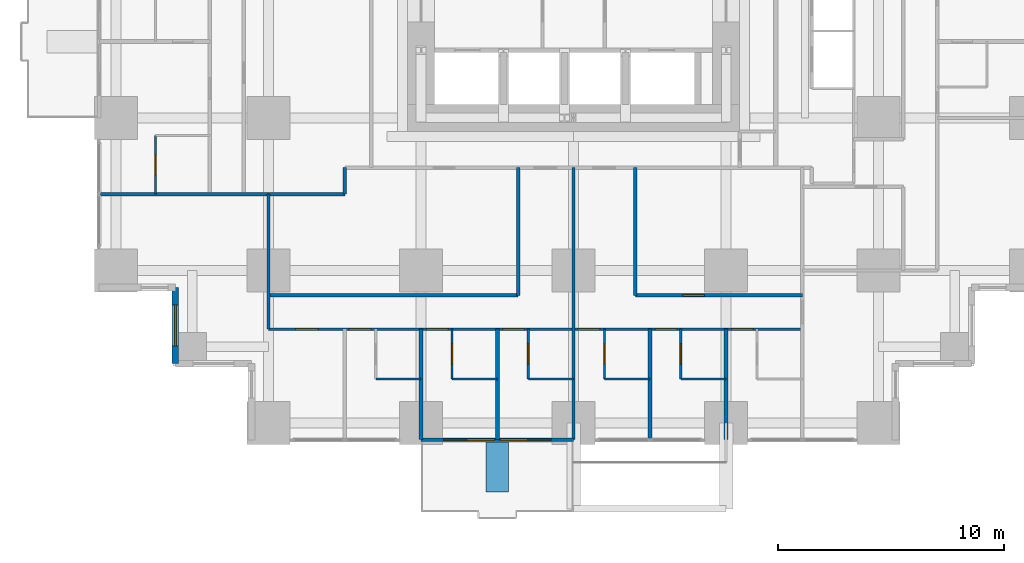
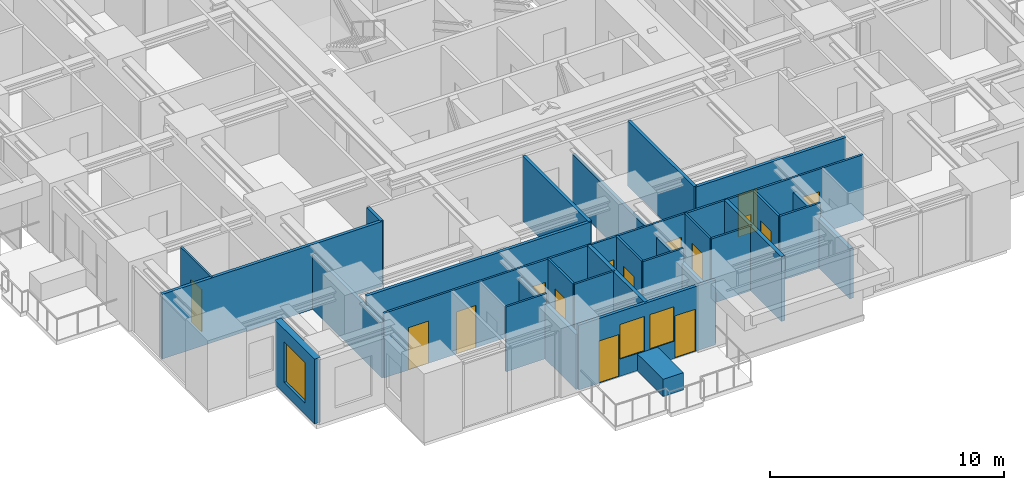
# One storey, part 8 of 14: 26 walls, 15 doors, 3 windows, 18 openings.
"""IFC4 building model written with IfcOpenShell, lengths in metres."""

from ifc_helpers import new_model, si_unit, direction, frame, frame_2d, origin, place, context, subcontext, project, spatial, rectangle, extrude, material, layer, layer_set, type_object, element, fill, save


model = new_model("IFC4")

# Units and contexts
model_context = context("Model", 3, precision=1e-05, world=origin(), true_north=direction((0.0, 1.0)))
body_context = subcontext(model_context, "Body", "Model", "MODEL_VIEW")
ifc_project = project(units=[si_unit("LENGTHUNIT", "METRE"), si_unit("AREAUNIT", "SQUARE_METRE"), si_unit("VOLUMEUNIT", "CUBIC_METRE"), si_unit("PLANEANGLEUNIT", "RADIAN"), si_unit("MASSUNIT", "GRAM", prefix="KILO")], contexts=[model_context])

# Site, building, storey
site_placement = place(None, origin())
site = spatial("IfcSite", under=ifc_project, at=site_placement, CompositionType="ELEMENT")
building_placement = place(site_placement, origin())
building = spatial("IfcBuilding", under=site, at=building_placement, Name="Nyansa Garden Tower", CompositionType="ELEMENT")
storey_placement = place(building_placement, frame((0.0, 0.0, 39.60009765625)))
storey = spatial("IfcBuildingStorey", under=building, at=storey_placement, Name="L10", CompositionType="ELEMENT", Elevation=39.60009765625)

# Walls
ifc_material_1 = material(Name="Dense blockwork, plastered both sides, 55 dB", Category="masonry")
ifc_layer_1 = layer(ifc_material_1, 0.175048828125)
ifc_layer_set_1 = layer_set([ifc_layer_1], Name="Acoustic party wall PW175")
wall_type_1 = type_object("IfcWallType", Name="Acoustic party wall PW175", PredefinedType="PARTITIONING", material=ifc_layer_set_1)
wall_1_placement = place(storey_placement, frame((13.5, -0.73388671875, 0.0), z_axis=(0.0, 0.0, 1.0), x_axis=(0.0, 1.0, 0.0)))
element("IfcWall", 1, at=wall_1_placement, inside=storey, type_object=wall_type_1, Name="Party wall", PredefinedType="PARTITIONING", context=body_context, shape_type="SweptSolid", body=[
    extrude(rectangle(XDim=4.8837890625, YDim=0.175048828125, at=frame_2d((2.44189453125, 0.0))), origin(), (0.0, 0.0, 1.0), 2.876953125),
])
for number, where, z_axis, x_axis, name in (
    (2, (16.875, -0.73388671875, 0.0), (0.0, 0.0, 1.0), (0.0, 1.0, 0.0), "Party wall"),
    (3, (23.625, -0.73388671875, 0.0), (0.0, 0.0, 1.0), (0.0, 1.0, 0.0), "Party wall"),
):
    element("IfcWall", number, at=place(storey_placement, frame(where, z_axis=z_axis, x_axis=x_axis)), inside=storey, type_object=wall_type_1, Name=name, PredefinedType="PARTITIONING", context=body_context, shape_type="SweptSolid", body=[
        extrude(rectangle(XDim=4.8837890625, YDim=0.175048828125, at=frame_2d((2.44189453125, 0.0))), origin(), (0.0, 0.0, 1.0), 3.375),
    ])
wall_2_placement = place(storey_placement, frame((27.0, -0.73388671875, 0.0), z_axis=(0.0, 0.0, 1.0), x_axis=(0.0, 1.0, 0.0)))
element("IfcWall", 4, at=wall_2_placement, inside=storey, type_object=wall_type_1, Name="Party wall", PredefinedType="PARTITIONING", context=body_context, shape_type="SweptSolid", body=[
    extrude(rectangle(XDim=4.8837890625, YDim=0.175048828125, at=frame_2d((2.44189453125, 0.0))), origin(), (0.0, 0.0, 1.0), 2.60986328125),
])

# Wall, openings, doors, windows
ifc_material_2 = material(Name="Black aluminium framed glazed screen", Category="aluminium")
ifc_layer_2 = layer(ifc_material_2, 0.14990234375)
ifc_layer_set_2 = layer_set([ifc_layer_2], Name="Balcony screen wall BW150")
wall_type_2 = type_object("IfcWallType", Name="Balcony screen wall BW150", PredefinedType="SOLIDWALL", material=ifc_layer_set_2)
wall_3_placement = place(storey_placement, frame((20.25, -0.75, 0.0), z_axis=(0.0, 0.0, 1.0), x_axis=(-1.0, 0.0, 0.0)))
wall_3 = element("IfcWall", 5, at=wall_3_placement, inside=storey, type_object=wall_type_2, Name="Glazed screen wall L10 S", PredefinedType="SOLIDWALL", context=body_context, shape_type="SweptSolid", body=[
    extrude(rectangle(XDim=6.75, YDim=0.14990234375, at=frame_2d((3.375, 0.0))), origin(), (0.0, 0.0, 1.0), 3.375),
])
opening_1_placement = place(wall_3_placement, frame((0.995849609375, 0.0, 0.0)))
opening_1 = element("IfcOpeningElement", 6, at=opening_1_placement, cuts=wall_3, Name="Opening D20", PredefinedType="OPENING", context=body_context, shape_type="SweptSolid", body=[
    extrude(rectangle(XDim=1.0, YDim=2.199951171875, at=frame_2d((0.5, 1.10009765625))), frame((0.0, 0.0849609375, 0.0), z_axis=(0.0, -1.0, 0.0), x_axis=(1.0, 0.0, 0.0)), (0.0, 0.0, 1.0), 0.169921875),
])
opening_2_placement = place(wall_3_placement, frame((2.041748046875, 0.0, 0.89990234375)))
opening_2 = element("IfcOpeningElement", 7, at=opening_2_placement, cuts=wall_3, Name="Opening W6", PredefinedType="OPENING", context=body_context, shape_type="SweptSolid", body=[
    extrude(rectangle(XDim=1.199951171875, YDim=1.800048828125, at=frame_2d((0.60009765625, 0.89990234375))), frame((0.0, 0.0849609375, 0.0), z_axis=(0.0, -1.0, 0.0), x_axis=(1.0, 0.0, 0.0)), (0.0, 0.0, 1.0), 0.169921875),
])
opening_3_placement = place(wall_3_placement, frame((4.754150390625, 0.0, 0.0)))
opening_3 = element("IfcOpeningElement", 8, at=opening_3_placement, cuts=wall_3, Name="Opening D20", PredefinedType="OPENING", context=body_context, shape_type="SweptSolid", body=[
    extrude(rectangle(XDim=1.0, YDim=2.199951171875, at=frame_2d((0.5, 1.10009765625))), frame((0.0, 0.0849609375, 0.0), z_axis=(0.0, -1.0, 0.0), x_axis=(1.0, 0.0, 0.0)), (0.0, 0.0, 1.0), 0.169921875),
])
opening_4_placement = place(wall_3_placement, frame((3.50830078125, 0.0, 0.89990234375)))
opening_4 = element("IfcOpeningElement", 9, at=opening_4_placement, cuts=wall_3, Name="Opening W6", PredefinedType="OPENING", context=body_context, shape_type="SweptSolid", body=[
    extrude(rectangle(XDim=1.199951171875, YDim=1.800048828125, at=frame_2d((0.60009765625, 0.89990234375))), frame((0.0, 0.0849609375, 0.0), z_axis=(0.0, -1.0, 0.0), x_axis=(1.0, 0.0, 0.0)), (0.0, 0.0, 1.0), 0.169921875),
])
ifc_material_3 = material(Name="Black aluminium framed glazed door", Category="aluminium")
door_type_1 = type_object("IfcDoorType", Name="Balcony door D20 1000x2200", OperationType="NOTDEFINED", PredefinedType="DOOR", material=ifc_material_3)
door_1_placement = place(opening_1_placement, origin())
door_1 = element("IfcDoor", 10, at=door_1_placement, inside=storey, type_object=door_type_1, Name="Balcony door L10", OperationType="SINGLE_SWING_LEFT", OverallHeight=2.199951171875, OverallWidth=1.0, PredefinedType="DOOR", context=body_context, shape_type="SweptSolid", body=[
    extrude(rectangle(XDim=1.0, YDim=2.199951171875, at=frame_2d((0.5, 1.10009765625))), frame((0.0, 0.02490234375, 0.0), z_axis=(0.0, -1.0, 0.0), x_axis=(1.0, 0.0, 0.0)), (0.0, 0.0, 1.0), 0.050048828125),
])
fill(opening_1, door_1)
door_2_placement = place(opening_3_placement, origin())
door_2 = element("IfcDoor", 11, at=door_2_placement, inside=storey, type_object=door_type_1, Name="Balcony door L10", OperationType="SINGLE_SWING_RIGHT", OverallHeight=2.199951171875, OverallWidth=1.0, PredefinedType="DOOR", context=body_context, shape_type="SweptSolid", body=[
    extrude(rectangle(XDim=1.0, YDim=2.199951171875, at=frame_2d((0.5, 1.10009765625))), frame((0.0, 0.02490234375, 0.0), z_axis=(0.0, -1.0, 0.0), x_axis=(1.0, 0.0, 0.0)), (0.0, 0.0, 1.0), 0.050048828125),
])
fill(opening_3, door_2)
ifc_material_4 = material(Name="Black aluminium frame, dark tinted double glazing", Category="aluminium")
window_type_1 = type_object("IfcWindowType", Name="Balcony window W6 1200x1800", PartitioningType="SINGLE_PANEL", PredefinedType="WINDOW", material=ifc_material_4)
window_1_placement = place(opening_2_placement, origin())
window_1 = element("IfcWindow", 12, at=window_1_placement, inside=storey, type_object=window_type_1, Name="Window L10", OverallHeight=1.800048828125, OverallWidth=1.199951171875, PartitioningType="SINGLE_PANEL", PredefinedType="WINDOW", context=body_context, shape_type="SweptSolid", body=[
    extrude(rectangle(XDim=1.199951171875, YDim=1.800048828125, at=frame_2d((0.60009765625, 0.89990234375))), frame((0.0, 0.030029296875, 0.0), z_axis=(0.0, -1.0, 0.0), x_axis=(1.0, 0.0, 0.0)), (0.0, 0.0, 1.0), 0.06005859375),
])
fill(opening_2, window_1)
window_2_placement = place(opening_4_placement, origin())
window_2 = element("IfcWindow", 13, at=window_2_placement, inside=storey, type_object=window_type_1, Name="Window L10", OverallHeight=1.800048828125, OverallWidth=1.199951171875, PartitioningType="SINGLE_PANEL", PredefinedType="WINDOW", context=body_context, shape_type="SweptSolid", body=[
    extrude(rectangle(XDim=1.199951171875, YDim=1.800048828125, at=frame_2d((0.60009765625, 0.89990234375))), frame((0.0, 0.030029296875, 0.0), z_axis=(0.0, -1.0, 0.0), x_axis=(1.0, 0.0, 0.0)), (0.0, 0.0, 1.0), 0.06005859375),
])
fill(opening_4, window_2)

# Walls
ifc_material_5 = material(Name="Blockwork, plastered both sides", Category="masonry")
ifc_layer_3 = layer(ifc_material_5, 0.14990234375)
ifc_layer_set_3 = layer_set([ifc_layer_3], Name="Partition PW150")
wall_type_3 = type_object("IfcWallType", Name="Partition PW150", PredefinedType="PARTITIONING", material=ifc_layer_set_3)
wall_4_placement = place(storey_placement, frame((-0.73388671875, 10.125, 0.0), z_axis=(0.0, 0.0, 1.0), x_axis=(1.0, 0.0, 0.0)))
element("IfcWall", 14, at=wall_4_placement, inside=storey, type_object=wall_type_3, Name="Partition", PredefinedType="PARTITIONING", context=body_context, shape_type="SweptSolid", body=[
    extrude(rectangle(XDim=10.85888671875, YDim=0.14990234375, at=frame_2d((5.429443359375, 0.0))), origin(), (0.0, 0.0, 1.0), 3.375),
])
wall_5_placement = place(storey_placement, frame((6.75, 4.14990234375, 0.0), z_axis=(0.0, 0.0, 1.0), x_axis=(0.0, 1.0, 0.0)))
element("IfcWall", 15, at=wall_5_placement, inside=storey, type_object=wall_type_3, Name="Partition", PredefinedType="PARTITIONING", context=body_context, shape_type="SweptSolid", body=[
    extrude(rectangle(XDim=5.97509765625, YDim=0.14990234375, at=frame_2d((2.987548828125, 0.0))), origin(), (0.0, 0.0, 1.0), 2.876953125),
])
wall_6_placement = place(storey_placement, frame((6.75, 5.64990234375, 0.0), z_axis=(0.0, 0.0, 1.0), x_axis=(1.0, 0.0, 0.0)))
element("IfcWall", 16, at=wall_6_placement, inside=storey, type_object=wall_type_3, Name="Partition", PredefinedType="PARTITIONING", context=body_context, shape_type="SweptSolid", body=[
    extrude(rectangle(XDim=11.050048828125, YDim=0.14990234375, at=frame_2d((5.52490234375, 0.0))), origin(), (0.0, 0.0, 1.0), 3.375),
])
wall_7_placement = place(storey_placement, frame((10.125, 10.125, 0.0), z_axis=(0.0, 0.0, 1.0), x_axis=(0.0, 1.0, 0.0)))
element("IfcWall", 17, at=wall_7_placement, inside=storey, type_object=wall_type_3, Name="Partition", PredefinedType="PARTITIONING", context=body_context, shape_type="SweptSolid", body=[
    extrude(rectangle(XDim=1.175048828125, YDim=0.14990234375, at=frame_2d((0.58740234375, 0.0))), origin(), (0.0, 0.0, 1.0), 3.375),
])
wall_8_placement = place(storey_placement, frame((17.800048828125, 5.64990234375, 0.0), z_axis=(0.0, 0.0, 1.0), x_axis=(0.0, 1.0, 0.0)))
element("IfcWall", 18, at=wall_8_placement, inside=storey, type_object=wall_type_3, Name="Partition", PredefinedType="PARTITIONING", context=body_context, shape_type="SweptSolid", body=[
    extrude(rectangle(XDim=5.650146484375, YDim=0.14990234375, at=frame_2d((2.8251953125, 0.0))), origin(), (0.0, 0.0, 1.0), 3.375),
])
wall_9_placement = place(storey_placement, frame((20.25, -0.73388671875, 0.0), z_axis=(0.0, 0.0, 1.0), x_axis=(0.0, 1.0, 0.0)))
element("IfcWall", 19, at=wall_9_placement, inside=storey, type_object=wall_type_3, Name="Partition", PredefinedType="PARTITIONING", context=body_context, shape_type="SweptSolid", body=[
    extrude(rectangle(XDim=12.033935546875, YDim=0.14990234375, at=frame_2d((6.01708984375, 0.0))), origin(), (0.0, 0.0, 1.0), 2.60986328125),
])

# Wall, opening, door
wall_10_placement = place(storey_placement, frame((22.987548828125, 5.64990234375, 0.0), z_axis=(0.0, 0.0, 1.0), x_axis=(1.0, 0.0, 0.0)))
wall_10 = element("IfcWall", 20, at=wall_10_placement, inside=storey, type_object=wall_type_3, Name="Partition", PredefinedType="PARTITIONING", context=body_context, shape_type="SweptSolid", body=[
    extrude(rectangle(XDim=7.387451171875, YDim=0.14990234375, at=frame_2d((3.69384765625, 0.0))), origin(), (0.0, 0.0, 1.0), 3.375),
])
opening_5_placement = place(wall_10_placement, frame((2.10009765625, 0.0, 0.0)))
opening_5 = element("IfcOpeningElement", 21, at=opening_5_placement, cuts=wall_10, Name="Opening D01", PredefinedType="OPENING", context=body_context, shape_type="SweptSolid", body=[
    extrude(rectangle(XDim=0.949951171875, YDim=2.199951171875, at=frame_2d((0.47509765625, 1.10009765625))), frame((0.0, 0.0849609375, 0.0), z_axis=(0.0, -1.0, 0.0), x_axis=(1.0, 0.0, 0.0)), (0.0, 0.0, 1.0), 0.169921875),
])
ifc_material_6 = material(Name="Timber flush door, 30 minute fire resisting", Category="wood")
door_type_2 = type_object("IfcDoorType", Name="Bedroom door D01 950x2200", OperationType="SINGLE_SWING_LEFT", PredefinedType="DOOR", material=ifc_material_6)
door_3_placement = place(opening_5_placement, origin())
door_3 = element("IfcDoor", 22, at=door_3_placement, inside=storey, type_object=door_type_2, Name="Door L10-033", OperationType="SINGLE_SWING_LEFT", OverallHeight=2.199951171875, OverallWidth=0.949951171875, PredefinedType="DOOR", context=body_context, shape_type="SweptSolid", body=[
    extrude(rectangle(XDim=0.949951171875, YDim=2.199951171875, at=frame_2d((0.47509765625, 1.10009765625))), frame((0.0, 0.02490234375, 0.0), z_axis=(0.0, -1.0, 0.0), x_axis=(1.0, 0.0, 0.0)), (0.0, 0.0, 1.0), 0.050048828125),
])
fill(opening_5, door_3)

# Wall
wall_11_placement = place(storey_placement, frame((22.988037109375, 5.64990234375, 0.0), z_axis=(0.0, 0.0, 1.0), x_axis=(0.0, 1.0, 0.0)))
element("IfcWall", 23, at=wall_11_placement, inside=storey, type_object=wall_type_3, Name="Partition", PredefinedType="PARTITIONING", context=body_context, shape_type="SweptSolid", body=[
    extrude(rectangle(XDim=5.650146484375, YDim=0.14990234375, at=frame_2d((2.8251953125, 0.0))), origin(), (0.0, 0.0, 1.0), 3.375),
])

# Wall, opening, window
ifc_material_7 = material(Name="Turquoise glazed tile on concrete blockwork", Category="masonry")
ifc_layer_4 = layer(ifc_material_7, 0.300048828125)
ifc_layer_set_4 = layer_set([ifc_layer_4], Name="Tiled corner wall TW300")
wall_type_4 = type_object("IfcWallType", Name="Tiled corner wall TW300", PredefinedType="SOLIDWALL", material=ifc_layer_set_4)
wall_12_placement = place(storey_placement, frame((2.625, 6.0, 0.0), z_axis=(0.0, 0.0, 1.0), x_axis=(0.0, -1.0, 0.0)))
wall_12 = element("IfcWall", 24, at=wall_12_placement, inside=storey, type_object=wall_type_4, Name="Tiled corner wall L10", PredefinedType="SOLIDWALL", context=body_context, shape_type="SweptSolid", body=[
    extrude(rectangle(XDim=3.375, YDim=0.300048828125, at=frame_2d((1.6875, 0.0))), origin(), (0.0, 0.0, 1.0), 3.375),
])
opening_6_placement = place(wall_12_placement, frame((0.78759765625, 0.0, 0.60009765625)))
opening_6 = element("IfcOpeningElement", 25, at=opening_6_placement, cuts=wall_12, Name="Opening W2", PredefinedType="OPENING", context=body_context, shape_type="SweptSolid", body=[
    extrude(rectangle(XDim=1.800048828125, YDim=2.10009765625, at=frame_2d((0.89990234375, 1.050048828125))), frame((0.0, 0.159912109375, 0.0), z_axis=(0.0, -1.0, 0.0), x_axis=(1.0, 0.0, 0.0)), (0.0, 0.0, 1.0), 0.320068359375),
])
ifc_material_8 = material(Name="Black aluminium frame, dark tinted double glazing", Category="aluminium")
window_type_2 = type_object("IfcWindowType", Name="Window W2 1800x2100", PartitioningType="SINGLE_PANEL", PredefinedType="WINDOW", material=ifc_material_8)
window_3_placement = place(opening_6_placement, origin())
window_3 = element("IfcWindow", 26, at=window_3_placement, inside=storey, type_object=window_type_2, Name="Corner window L10", OverallHeight=2.10009765625, OverallWidth=1.800048828125, PartitioningType="SINGLE_PANEL", PredefinedType="WINDOW", context=body_context, shape_type="SweptSolid", body=[
    extrude(rectangle(XDim=1.800048828125, YDim=2.10009765625, at=frame_2d((0.89990234375, 1.050048828125))), frame((0.0, 0.030029296875, 0.0), z_axis=(0.0, -1.0, 0.0), x_axis=(1.0, 0.0, 0.0)), (0.0, 0.0, 1.0), 0.06005859375),
])
fill(opening_6, window_3)

# Wall
ifc_material_9 = material(Name="Concrete C40/50 planter, waterproofed", Category="concrete")
ifc_layer_5 = layer(ifc_material_9, 1.0)
ifc_layer_set_5 = layer_set([ifc_layer_5], Name="Tree planter TP1")
wall_type_5 = type_object("IfcWallType", Name="Tree planter TP1", PredefinedType="USERDEFINED", material=ifc_layer_set_5)
wall_13_placement = place(storey_placement, frame((16.875, -0.85009765625, 0.0), z_axis=(0.0, 0.0, 1.0), x_axis=(0.0, -1.0, 0.0)))
element("IfcWall", 27, at=wall_13_placement, inside=storey, type_object=wall_type_5, Name="Tree planter L10", ObjectType="TREE PLANTER", PredefinedType="USERDEFINED", context=body_context, shape_type="SweptSolid", body=[
    extrude(rectangle(XDim=2.199951171875, YDim=1.0, at=frame_2d((1.10009765625, 0.0))), origin(), (0.0, 0.0, 1.0), 0.89990234375),
])

# Wall, opening, door
ifc_material_10 = material(Name="Moisture resistant board on steel studs, tiled", Category="steel")
ifc_layer_6 = layer(ifc_material_10, 0.10009765625)
ifc_layer_set_6 = layer_set([ifc_layer_6], Name="Wet wall PW100")
wall_type_6 = type_object("IfcWallType", Name="Wet wall PW100", PredefinedType="PARTITIONING", material=ifc_layer_set_6)
wall_14_placement = place(storey_placement, frame((1.75, 10.125, 0.0), z_axis=(0.0, 0.0, 1.0), x_axis=(0.0, 1.0, 0.0)))
wall_14 = element("IfcWall", 28, at=wall_14_placement, inside=storey, type_object=wall_type_6, Name="Wet wall", PredefinedType="PARTITIONING", context=body_context, shape_type="SweptSolid", body=[
    extrude(rectangle(XDim=2.60009765625, YDim=0.10009765625, at=frame_2d((1.300048828125, 0.0))), origin(), (0.0, 0.0, 1.0), 3.375),
])
opening_7_placement = place(wall_14_placement, frame((0.85009765625, 0.0, 0.0)))
opening_7 = element("IfcOpeningElement", 29, at=opening_7_placement, cuts=wall_14, Name="Opening D02", PredefinedType="OPENING", context=body_context, shape_type="SweptSolid", body=[
    extrude(rectangle(XDim=0.89990234375, YDim=2.199951171875, at=frame_2d((0.449951171875, 1.10009765625))), frame((0.0, 0.06005859375, 0.0), z_axis=(0.0, -1.0, 0.0), x_axis=(1.0, 0.0, 0.0)), (0.0, 0.0, 1.0), 0.1201171875),
])
ifc_material_11 = material(Name="Timber flush door", Category="wood")
door_type_3 = type_object("IfcDoorType", Name="En-suite door D02 900x2200", OperationType="SINGLE_SWING_RIGHT", PredefinedType="DOOR", material=ifc_material_11)
door_4_placement = place(opening_7_placement, origin())
door_4 = element("IfcDoor", 30, at=door_4_placement, inside=storey, type_object=door_type_3, Name="Door L10-060", OperationType="SINGLE_SWING_RIGHT", OverallHeight=2.199951171875, OverallWidth=0.89990234375, PredefinedType="DOOR", context=body_context, shape_type="SweptSolid", body=[
    extrude(rectangle(XDim=0.89990234375, YDim=2.199951171875, at=frame_2d((0.449951171875, 1.10009765625))), frame((0.0, 0.02490234375, 0.0), z_axis=(0.0, -1.0, 0.0), x_axis=(1.0, 0.0, 0.0)), (0.0, 0.0, 1.0), 0.050048828125),
])
fill(opening_7, door_4)

# Wall, openings, doors
wall_15_placement = place(storey_placement, frame((6.75, 4.14990234375, 0.0), z_axis=(0.0, 0.0, 1.0), x_axis=(1.0, 0.0, 0.0)))
wall_15 = element("IfcWall", 31, at=wall_15_placement, inside=storey, type_object=wall_type_6, Name="Wet wall", PredefinedType="PARTITIONING", context=body_context, shape_type="SweptSolid", body=[
    extrude(rectangle(XDim=23.625, YDim=0.10009765625, at=frame_2d((11.8125, 0.0))), origin(), (0.0, 0.0, 1.0), 3.375),
])
opening_8_placement = place(wall_15_placement, frame((1.199951171875, 0.0, 0.0)))
opening_8 = element("IfcOpeningElement", 32, at=opening_8_placement, cuts=wall_15, Name="Opening D03", PredefinedType="OPENING", context=body_context, shape_type="SweptSolid", body=[
    extrude(rectangle(XDim=1.0, YDim=2.199951171875, at=frame_2d((0.5, 1.10009765625))), frame((0.0, 0.06005859375, 0.0), z_axis=(0.0, -1.0, 0.0), x_axis=(1.0, 0.0, 0.0)), (0.0, 0.0, 1.0), 0.1201171875),
])
opening_9_placement = place(wall_15_placement, frame((3.574951171875, 0.0, 0.0)))
opening_9 = element("IfcOpeningElement", 33, at=opening_9_placement, cuts=wall_15, Name="Opening D01", PredefinedType="OPENING", context=body_context, shape_type="SweptSolid", body=[
    extrude(rectangle(XDim=0.949951171875, YDim=2.199951171875, at=frame_2d((0.47509765625, 1.10009765625))), frame((0.0, 0.06005859375, 0.0), z_axis=(0.0, -1.0, 0.0), x_axis=(1.0, 0.0, 0.0)), (0.0, 0.0, 1.0), 0.1201171875),
])
opening_10_placement = place(wall_15_placement, frame((7.0, 0.0, 0.0)))
opening_10 = element("IfcOpeningElement", 34, at=opening_10_placement, cuts=wall_15, Name="Opening D01", PredefinedType="OPENING", context=body_context, shape_type="SweptSolid", body=[
    extrude(rectangle(XDim=0.949951171875, YDim=2.199951171875, at=frame_2d((0.47509765625, 1.10009765625))), frame((0.0, 0.06005859375, 0.0), z_axis=(0.0, -1.0, 0.0), x_axis=(1.0, 0.0, 0.0)), (0.0, 0.0, 1.0), 0.1201171875),
])
opening_11_placement = place(wall_15_placement, frame((10.375, 0.0, 0.0)))
opening_11 = element("IfcOpeningElement", 35, at=opening_11_placement, cuts=wall_15, Name="Opening D01", PredefinedType="OPENING", context=body_context, shape_type="SweptSolid", body=[
    extrude(rectangle(XDim=0.949951171875, YDim=2.199951171875, at=frame_2d((0.47509765625, 1.10009765625))), frame((0.0, 0.06005859375, 0.0), z_axis=(0.0, -1.0, 0.0), x_axis=(1.0, 0.0, 0.0)), (0.0, 0.0, 1.0), 0.1201171875),
])
opening_12_placement = place(wall_15_placement, frame((13.699951171875, 0.0, 0.0)))
opening_12 = element("IfcOpeningElement", 36, at=opening_12_placement, cuts=wall_15, Name="Opening D14", PredefinedType="OPENING", context=body_context, shape_type="SweptSolid", body=[
    extrude(rectangle(XDim=0.949951171875, YDim=2.199951171875, at=frame_2d((0.47509765625, 1.10009765625))), frame((0.0, 0.06005859375, 0.0), z_axis=(0.0, -1.0, 0.0), x_axis=(1.0, 0.0, 0.0)), (0.0, 0.0, 1.0), 0.1201171875),
])
opening_13_placement = place(wall_15_placement, frame((17.125, 0.0, 0.0)))
opening_13 = element("IfcOpeningElement", 37, at=opening_13_placement, cuts=wall_15, Name="Opening D14", PredefinedType="OPENING", context=body_context, shape_type="SweptSolid", body=[
    extrude(rectangle(XDim=0.949951171875, YDim=2.199951171875, at=frame_2d((0.47509765625, 1.10009765625))), frame((0.0, 0.06005859375, 0.0), z_axis=(0.0, -1.0, 0.0), x_axis=(1.0, 0.0, 0.0)), (0.0, 0.0, 1.0), 0.1201171875),
])
opening_14_placement = place(wall_15_placement, frame((20.5, 0.0, 0.0)))
opening_14 = element("IfcOpeningElement", 38, at=opening_14_placement, cuts=wall_15, Name="Opening D14", PredefinedType="OPENING", context=body_context, shape_type="SweptSolid", body=[
    extrude(rectangle(XDim=0.949951171875, YDim=2.199951171875, at=frame_2d((0.47509765625, 1.10009765625))), frame((0.0, 0.06005859375, 0.0), z_axis=(0.0, -1.0, 0.0), x_axis=(1.0, 0.0, 0.0)), (0.0, 0.0, 1.0), 0.1201171875),
])
door_5_placement = place(opening_9_placement, origin())
door_5 = element("IfcDoor", 39, at=door_5_placement, inside=storey, type_object=door_type_2, Name="Door L10-018", OperationType="SINGLE_SWING_LEFT", OverallHeight=2.199951171875, OverallWidth=0.949951171875, PredefinedType="DOOR", context=body_context, shape_type="SweptSolid", body=[
    extrude(rectangle(XDim=0.949951171875, YDim=2.199951171875, at=frame_2d((0.47509765625, 1.10009765625))), frame((0.0, 0.02490234375, 0.0), z_axis=(0.0, -1.0, 0.0), x_axis=(1.0, 0.0, 0.0)), (0.0, 0.0, 1.0), 0.050048828125),
])
fill(opening_9, door_5)
door_6_placement = place(opening_10_placement, origin())
door_6 = element("IfcDoor", 40, at=door_6_placement, inside=storey, type_object=door_type_2, Name="Door L10-020", OperationType="SINGLE_SWING_LEFT", OverallHeight=2.199951171875, OverallWidth=0.949951171875, PredefinedType="DOOR", context=body_context, shape_type="SweptSolid", body=[
    extrude(rectangle(XDim=0.949951171875, YDim=2.199951171875, at=frame_2d((0.47509765625, 1.10009765625))), frame((0.0, 0.02490234375, 0.0), z_axis=(0.0, -1.0, 0.0), x_axis=(1.0, 0.0, 0.0)), (0.0, 0.0, 1.0), 0.050048828125),
])
fill(opening_10, door_6)
door_7_placement = place(opening_11_placement, origin())
door_7 = element("IfcDoor", 41, at=door_7_placement, inside=storey, type_object=door_type_2, Name="Door L10-022", OperationType="SINGLE_SWING_LEFT", OverallHeight=2.199951171875, OverallWidth=0.949951171875, PredefinedType="DOOR", context=body_context, shape_type="SweptSolid", body=[
    extrude(rectangle(XDim=0.949951171875, YDim=2.199951171875, at=frame_2d((0.47509765625, 1.10009765625))), frame((0.0, 0.02490234375, 0.0), z_axis=(0.0, -1.0, 0.0), x_axis=(1.0, 0.0, 0.0)), (0.0, 0.0, 1.0), 0.050048828125),
])
fill(opening_11, door_7)
ifc_material_12 = material(Name="Timber flush door, 60 minute fire resisting", Category="wood")
door_type_4 = type_object("IfcDoorType", Name="Cluster entrance door D03 1000x2200", OperationType="SINGLE_SWING_LEFT", PredefinedType="DOOR", material=ifc_material_12)
door_8_placement = place(opening_8_placement, origin())
door_8 = element("IfcDoor", 42, at=door_8_placement, inside=storey, type_object=door_type_4, Name="Door L10-017", OperationType="SINGLE_SWING_LEFT", OverallHeight=2.199951171875, OverallWidth=1.0, PredefinedType="DOOR", context=body_context, shape_type="SweptSolid", body=[
    extrude(rectangle(XDim=1.0, YDim=2.199951171875, at=frame_2d((0.5, 1.10009765625))), frame((0.0, 0.02490234375, 0.0), z_axis=(0.0, -1.0, 0.0), x_axis=(1.0, 0.0, 0.0)), (0.0, 0.0, 1.0), 0.050048828125),
])
fill(opening_8, door_8)
ifc_material_13 = material(Name="Timber flush door, 60 minute fire resisting, self-closing", Category="wood")
door_type_5 = type_object("IfcDoorType", Name="Studio entrance door D14 950x2200", OperationType="SINGLE_SWING_LEFT", PredefinedType="DOOR", material=ifc_material_13)
door_9_placement = place(opening_12_placement, origin())
door_9 = element("IfcDoor", 43, at=door_9_placement, inside=storey, type_object=door_type_5, Name="Door L10-025", OperationType="SINGLE_SWING_LEFT", OverallHeight=2.199951171875, OverallWidth=0.949951171875, PredefinedType="DOOR", context=body_context, shape_type="SweptSolid", body=[
    extrude(rectangle(XDim=0.949951171875, YDim=2.199951171875, at=frame_2d((0.47509765625, 1.10009765625))), frame((0.0, 0.02490234375, 0.0), z_axis=(0.0, -1.0, 0.0), x_axis=(1.0, 0.0, 0.0)), (0.0, 0.0, 1.0), 0.050048828125),
])
fill(opening_12, door_9)
door_10_placement = place(opening_13_placement, origin())
door_10 = element("IfcDoor", 44, at=door_10_placement, inside=storey, type_object=door_type_5, Name="Door L10-027", OperationType="SINGLE_SWING_LEFT", OverallHeight=2.199951171875, OverallWidth=0.949951171875, PredefinedType="DOOR", context=body_context, shape_type="SweptSolid", body=[
    extrude(rectangle(XDim=0.949951171875, YDim=2.199951171875, at=frame_2d((0.47509765625, 1.10009765625))), frame((0.0, 0.02490234375, 0.0), z_axis=(0.0, -1.0, 0.0), x_axis=(1.0, 0.0, 0.0)), (0.0, 0.0, 1.0), 0.050048828125),
])
fill(opening_13, door_10)
door_11_placement = place(opening_14_placement, origin())
door_11 = element("IfcDoor", 45, at=door_11_placement, inside=storey, type_object=door_type_5, Name="Door L10-029", OperationType="SINGLE_SWING_LEFT", OverallHeight=2.199951171875, OverallWidth=0.949951171875, PredefinedType="DOOR", context=body_context, shape_type="SweptSolid", body=[
    extrude(rectangle(XDim=0.949951171875, YDim=2.199951171875, at=frame_2d((0.47509765625, 1.10009765625))), frame((0.0, 0.02490234375, 0.0), z_axis=(0.0, -1.0, 0.0), x_axis=(1.0, 0.0, 0.0)), (0.0, 0.0, 1.0), 0.050048828125),
])
fill(opening_14, door_11)

# Wall
wall_16_placement = place(storey_placement, frame((11.5, 1.949951171875, 0.0), z_axis=(0.0, 0.0, 1.0), x_axis=(1.0, 0.0, 0.0)))
element("IfcWall", 46, at=wall_16_placement, inside=storey, type_object=wall_type_6, Name="Wet wall", PredefinedType="PARTITIONING", context=body_context, shape_type="SweptSolid", body=[
    extrude(rectangle(XDim=2.0, YDim=0.10009765625, at=frame_2d((1.0, 0.0))), origin(), (0.0, 0.0, 1.0), 3.375),
])

# Wall, opening, door
wall_17_placement = place(storey_placement, frame((14.875, 1.949951171875, 0.0), z_axis=(0.0, 0.0, 1.0), x_axis=(0.0, 1.0, 0.0)))
wall_17 = element("IfcWall", 47, at=wall_17_placement, inside=storey, type_object=wall_type_6, Name="Wet wall", PredefinedType="PARTITIONING", context=body_context, shape_type="SweptSolid", body=[
    extrude(rectangle(XDim=2.199951171875, YDim=0.10009765625, at=frame_2d((1.10009765625, 0.0))), origin(), (0.0, 0.0, 1.0), 3.375),
])
opening_15_placement = place(wall_17_placement, frame((0.64990234375, 0.0, 0.0)))
opening_15 = element("IfcOpeningElement", 48, at=opening_15_placement, cuts=wall_17, Name="Opening D02", PredefinedType="OPENING", context=body_context, shape_type="SweptSolid", body=[
    extrude(rectangle(XDim=0.89990234375, YDim=2.199951171875, at=frame_2d((0.449951171875, 1.10009765625))), frame((0.0, 0.06005859375, 0.0), z_axis=(0.0, -1.0, 0.0), x_axis=(1.0, 0.0, 0.0)), (0.0, 0.0, 1.0), 0.1201171875),
])
door_12_placement = place(opening_15_placement, origin())
door_12 = element("IfcDoor", 49, at=door_12_placement, inside=storey, type_object=door_type_3, Name="Door L10-021", OperationType="SINGLE_SWING_RIGHT", OverallHeight=2.199951171875, OverallWidth=0.89990234375, PredefinedType="DOOR", context=body_context, shape_type="SweptSolid", body=[
    extrude(rectangle(XDim=0.89990234375, YDim=2.199951171875, at=frame_2d((0.449951171875, 1.10009765625))), frame((0.0, 0.02490234375, 0.0), z_axis=(0.0, -1.0, 0.0), x_axis=(1.0, 0.0, 0.0)), (0.0, 0.0, 1.0), 0.050048828125),
])
fill(opening_15, door_12)

# Wall
wall_18_placement = place(storey_placement, frame((14.875, 1.949951171875, 0.0), z_axis=(0.0, 0.0, 1.0), x_axis=(1.0, 0.0, 0.0)))
element("IfcWall", 50, at=wall_18_placement, inside=storey, type_object=wall_type_6, Name="Wet wall", PredefinedType="PARTITIONING", context=body_context, shape_type="SweptSolid", body=[
    extrude(rectangle(XDim=2.0, YDim=0.10009765625, at=frame_2d((1.0, 0.0))), origin(), (0.0, 0.0, 1.0), 3.375),
])

# Wall, opening, door
wall_19_placement = place(storey_placement, frame((18.25, 1.949951171875, 0.0), z_axis=(0.0, 0.0, 1.0), x_axis=(0.0, 1.0, 0.0)))
wall_19 = element("IfcWall", 51, at=wall_19_placement, inside=storey, type_object=wall_type_6, Name="Wet wall", PredefinedType="PARTITIONING", context=body_context, shape_type="SweptSolid", body=[
    extrude(rectangle(XDim=2.199951171875, YDim=0.10009765625, at=frame_2d((1.10009765625, 0.0))), origin(), (0.0, 0.0, 1.0), 3.375),
])
opening_16_placement = place(wall_19_placement, frame((0.64990234375, 0.0, 0.0)))
opening_16 = element("IfcOpeningElement", 52, at=opening_16_placement, cuts=wall_19, Name="Opening D02", PredefinedType="OPENING", context=body_context, shape_type="SweptSolid", body=[
    extrude(rectangle(XDim=0.89990234375, YDim=2.199951171875, at=frame_2d((0.449951171875, 1.10009765625))), frame((0.0, 0.06005859375, 0.0), z_axis=(0.0, -1.0, 0.0), x_axis=(1.0, 0.0, 0.0)), (0.0, 0.0, 1.0), 0.1201171875),
])
door_13_placement = place(opening_16_placement, origin())
door_13 = element("IfcDoor", 53, at=door_13_placement, inside=storey, type_object=door_type_3, Name="Door L10-023", OperationType="SINGLE_SWING_RIGHT", OverallHeight=2.199951171875, OverallWidth=0.89990234375, PredefinedType="DOOR", context=body_context, shape_type="SweptSolid", body=[
    extrude(rectangle(XDim=0.89990234375, YDim=2.199951171875, at=frame_2d((0.449951171875, 1.10009765625))), frame((0.0, 0.02490234375, 0.0), z_axis=(0.0, -1.0, 0.0), x_axis=(1.0, 0.0, 0.0)), (0.0, 0.0, 1.0), 0.050048828125),
])
fill(opening_16, door_13)

# Wall
wall_20_placement = place(storey_placement, frame((18.25, 1.949951171875, 0.0), z_axis=(0.0, 0.0, 1.0), x_axis=(1.0, 0.0, 0.0)))
element("IfcWall", 54, at=wall_20_placement, inside=storey, type_object=wall_type_6, Name="Wet wall", PredefinedType="PARTITIONING", context=body_context, shape_type="SweptSolid", body=[
    extrude(rectangle(XDim=2.0, YDim=0.10009765625, at=frame_2d((1.0, 0.0))), origin(), (0.0, 0.0, 1.0), 3.375),
])

# Wall, opening, door
wall_21_placement = place(storey_placement, frame((21.625, 1.949951171875, 0.0), z_axis=(0.0, 0.0, 1.0), x_axis=(0.0, 1.0, 0.0)))
wall_21 = element("IfcWall", 55, at=wall_21_placement, inside=storey, type_object=wall_type_6, Name="Wet wall", PredefinedType="PARTITIONING", context=body_context, shape_type="SweptSolid", body=[
    extrude(rectangle(XDim=2.199951171875, YDim=0.10009765625, at=frame_2d((1.10009765625, 0.0))), origin(), (0.0, 0.0, 1.0), 3.375),
])
opening_17_placement = place(wall_21_placement, frame((0.64990234375, 0.0, 0.0)))
opening_17 = element("IfcOpeningElement", 56, at=opening_17_placement, cuts=wall_21, Name="Opening D02", PredefinedType="OPENING", context=body_context, shape_type="SweptSolid", body=[
    extrude(rectangle(XDim=0.89990234375, YDim=2.199951171875, at=frame_2d((0.449951171875, 1.10009765625))), frame((0.0, 0.06005859375, 0.0), z_axis=(0.0, -1.0, 0.0), x_axis=(1.0, 0.0, 0.0)), (0.0, 0.0, 1.0), 0.1201171875),
])
door_14_placement = place(opening_17_placement, origin())
door_14 = element("IfcDoor", 57, at=door_14_placement, inside=storey, type_object=door_type_3, Name="Door L10-026", OperationType="SINGLE_SWING_RIGHT", OverallHeight=2.199951171875, OverallWidth=0.89990234375, PredefinedType="DOOR", context=body_context, shape_type="SweptSolid", body=[
    extrude(rectangle(XDim=0.89990234375, YDim=2.199951171875, at=frame_2d((0.449951171875, 1.10009765625))), frame((0.0, 0.02490234375, 0.0), z_axis=(0.0, -1.0, 0.0), x_axis=(1.0, 0.0, 0.0)), (0.0, 0.0, 1.0), 0.050048828125),
])
fill(opening_17, door_14)

# Wall
wall_22_placement = place(storey_placement, frame((21.625, 1.949951171875, 0.0), z_axis=(0.0, 0.0, 1.0), x_axis=(1.0, 0.0, 0.0)))
element("IfcWall", 58, at=wall_22_placement, inside=storey, type_object=wall_type_6, Name="Wet wall", PredefinedType="PARTITIONING", context=body_context, shape_type="SweptSolid", body=[
    extrude(rectangle(XDim=2.0, YDim=0.10009765625, at=frame_2d((1.0, 0.0))), origin(), (0.0, 0.0, 1.0), 3.375),
])

# Wall, opening, door
wall_23_placement = place(storey_placement, frame((25.0, 1.949951171875, 0.0), z_axis=(0.0, 0.0, 1.0), x_axis=(0.0, 1.0, 0.0)))
wall_23 = element("IfcWall", 59, at=wall_23_placement, inside=storey, type_object=wall_type_6, Name="Wet wall", PredefinedType="PARTITIONING", context=body_context, shape_type="SweptSolid", body=[
    extrude(rectangle(XDim=2.199951171875, YDim=0.10009765625, at=frame_2d((1.10009765625, 0.0))), origin(), (0.0, 0.0, 1.0), 3.375),
])
opening_18_placement = place(wall_23_placement, frame((0.64990234375, 0.0, 0.0)))
opening_18 = element("IfcOpeningElement", 60, at=opening_18_placement, cuts=wall_23, Name="Opening D02", PredefinedType="OPENING", context=body_context, shape_type="SweptSolid", body=[
    extrude(rectangle(XDim=0.89990234375, YDim=2.199951171875, at=frame_2d((0.449951171875, 1.10009765625))), frame((0.0, 0.06005859375, 0.0), z_axis=(0.0, -1.0, 0.0), x_axis=(1.0, 0.0, 0.0)), (0.0, 0.0, 1.0), 0.1201171875),
])
door_15_placement = place(opening_18_placement, origin())
door_15 = element("IfcDoor", 61, at=door_15_placement, inside=storey, type_object=door_type_3, Name="Door L10-028", OperationType="SINGLE_SWING_RIGHT", OverallHeight=2.199951171875, OverallWidth=0.89990234375, PredefinedType="DOOR", context=body_context, shape_type="SweptSolid", body=[
    extrude(rectangle(XDim=0.89990234375, YDim=2.199951171875, at=frame_2d((0.449951171875, 1.10009765625))), frame((0.0, 0.02490234375, 0.0), z_axis=(0.0, -1.0, 0.0), x_axis=(1.0, 0.0, 0.0)), (0.0, 0.0, 1.0), 0.050048828125),
])
fill(opening_18, door_15)

# Wall
wall_24_placement = place(storey_placement, frame((25.0, 1.949951171875, 0.0), z_axis=(0.0, 0.0, 1.0), x_axis=(1.0, 0.0, 0.0)))
element("IfcWall", 62, at=wall_24_placement, inside=storey, type_object=wall_type_6, Name="Wet wall", PredefinedType="PARTITIONING", context=body_context, shape_type="SweptSolid", body=[
    extrude(rectangle(XDim=2.0, YDim=0.10009765625, at=frame_2d((1.0, 0.0))), origin(), (0.0, 0.0, 1.0), 3.375),
])

save(model, "model.ifc")
